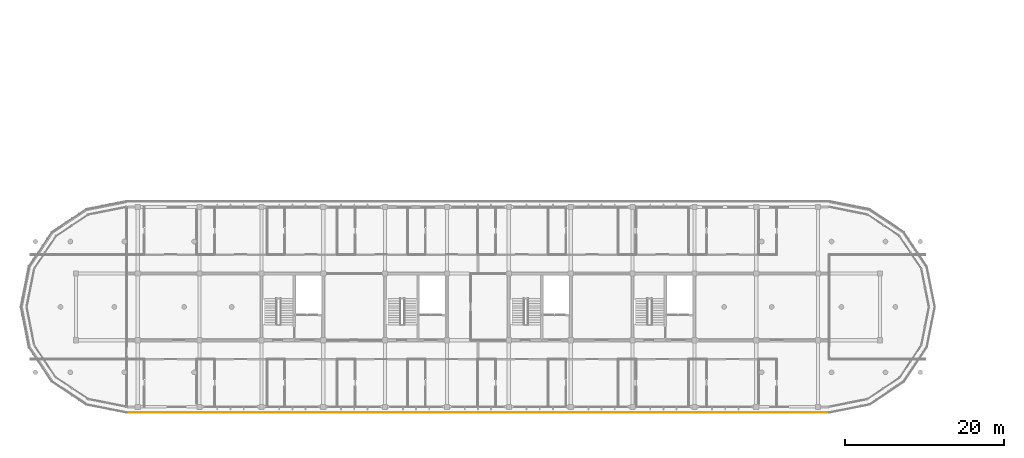
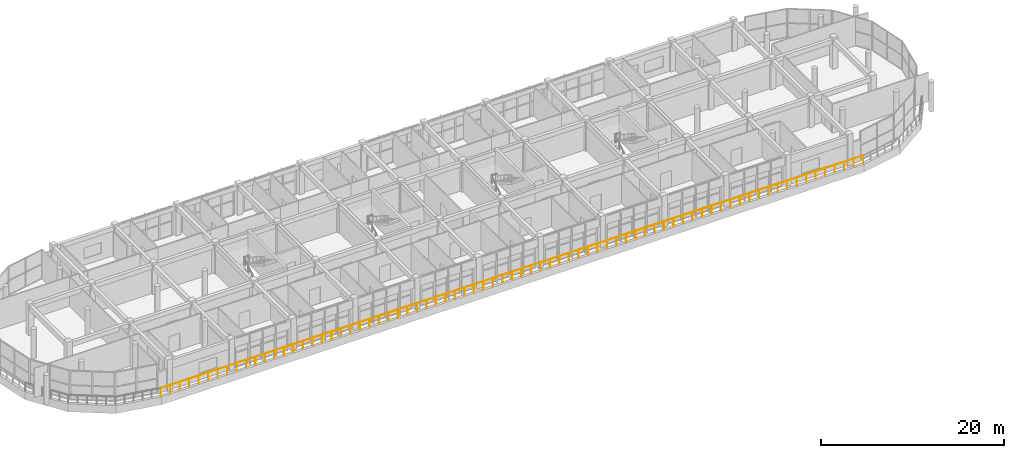
# One storey, part 54 of 57: 1 railing.
"""IFC4 building model written with IfcOpenShell, lengths in metres."""

from ifc_helpers import new_model, si_unit, direction, frame, origin, origin_2d, place, context, subcontext, project, spatial, circle, hollow_circle, extrude, material, material_profile, profile_set, type_object, element, save


model = new_model("IFC4")

# Units and contexts
model_context = context("Model", 3, precision=1e-05, world=origin(), true_north=direction((0.0, 1.0)))
body_context = subcontext(model_context, "Body", "Model", "MODEL_VIEW")
ifc_project = project(units=[si_unit("LENGTHUNIT", "METRE"), si_unit("AREAUNIT", "SQUARE_METRE"), si_unit("VOLUMEUNIT", "CUBIC_METRE"), si_unit("PLANEANGLEUNIT", "RADIAN"), si_unit("MASSUNIT", "GRAM", prefix="KILO")], contexts=[model_context])

# Site, building, storey
site_placement = place(None, origin())
site = spatial("IfcSite", under=ifc_project, at=site_placement, CompositionType="ELEMENT")
building_placement = place(site_placement, origin())
building = spatial("IfcBuilding", under=site, at=building_placement, Name="Zizhar Promenade General Hospital", CompositionType="ELEMENT")
storey_placement = place(building_placement, frame((0.0, 0.0, 22.199951171875)))
storey = spatial("IfcBuildingStorey", under=building, at=storey_placement, Name="L05", CompositionType="ELEMENT", Elevation=22.199951171875)

# Railing
ifc_material = material(Name="Anodised aluminium 6063-T6", Category="aluminium")
ifc_material_profile = material_profile(ifc_material, hollow_circle(Radius=0.06982421875, WallThickness=0.00634765625, at=origin_2d()))
ifc_profile_set = profile_set([ifc_material_profile], Name="Anodised aluminium 6063-T6")
railing_type = type_object("IfcRailingType", Name="RL-GUARD-TERR-1100", PredefinedType="GUARDRAIL", material=ifc_profile_set)
railing_placement = place(storey_placement, frame((29.800048828125, -0.719970703125, 0.0)))
element("IfcRailing", 1, at=railing_placement, inside=storey, type_object=railing_type, Name="Perimeter Safety Guardrail L05-18", PredefinedType="GUARDRAIL", context=body_context, shape_type="SweptSolid", body=[
    extrude(circle(Radius=0.02392578125, at=origin_2d()), frame((0.0, 0.0, 1.09619140625), z_axis=(1.0, 0.0, 0.0), x_axis=(0.0, 1.0, 0.0)), (0.0, 0.0, 1.0), 88.599853515625),
    extrude(circle(Radius=0.02099609375, at=origin_2d()), origin(), (0.0, 0.0, 1.0), 1.072021484375),
    extrude(circle(Radius=0.02099609375, at=origin_2d()), frame((1.197265625, 0.0, 0.0)), (0.0, 0.0, 1.0), 1.072021484375),
    extrude(circle(Radius=0.02099609375, at=origin_2d()), frame((2.39453125, 0.0, 0.0)), (0.0, 0.0, 1.0), 1.072021484375),
    extrude(circle(Radius=0.02099609375, at=origin_2d()), frame((3.591796875, 0.0, 0.0)), (0.0, 0.0, 1.0), 1.072021484375),
    extrude(circle(Radius=0.02099609375, at=origin_2d()), frame((4.7890625, 0.0, 0.0)), (0.0, 0.0, 1.0), 1.072021484375),
    extrude(circle(Radius=0.02099609375, at=origin_2d()), frame((5.986572265625, 0.0, 0.0)), (0.0, 0.0, 1.0), 1.072021484375),
    extrude(circle(Radius=0.02099609375, at=origin_2d()), frame((7.183837890625, 0.0, 0.0)), (0.0, 0.0, 1.0), 1.072021484375),
    extrude(circle(Radius=0.02099609375, at=origin_2d()), frame((8.381103515625, 0.0, 0.0)), (0.0, 0.0, 1.0), 1.072021484375),
    extrude(circle(Radius=0.02099609375, at=origin_2d()), frame((9.578369140625, 0.0, 0.0)), (0.0, 0.0, 1.0), 1.072021484375),
    extrude(circle(Radius=0.02099609375, at=origin_2d()), frame((10.775634765625, 0.0, 0.0)), (0.0, 0.0, 1.0), 1.072021484375),
    extrude(circle(Radius=0.02099609375, at=origin_2d()), frame((11.972900390625, 0.0, 0.0)), (0.0, 0.0, 1.0), 1.072021484375),
    extrude(circle(Radius=0.02099609375, at=origin_2d()), frame((13.170166015625, 0.0, 0.0)), (0.0, 0.0, 1.0), 1.072021484375),
    extrude(circle(Radius=0.02099609375, at=origin_2d()), frame((14.367431640625, 0.0, 0.0)), (0.0, 0.0, 1.0), 1.072021484375),
    extrude(circle(Radius=0.02099609375, at=origin_2d()), frame((15.56494140625, 0.0, 0.0)), (0.0, 0.0, 1.0), 1.072021484375),
    extrude(circle(Radius=0.02099609375, at=origin_2d()), frame((16.76220703125, 0.0, 0.0)), (0.0, 0.0, 1.0), 1.072021484375),
    extrude(circle(Radius=0.02099609375, at=origin_2d()), frame((17.95947265625, 0.0, 0.0)), (0.0, 0.0, 1.0), 1.072021484375),
    extrude(circle(Radius=0.02099609375, at=origin_2d()), frame((19.15673828125, 0.0, 0.0)), (0.0, 0.0, 1.0), 1.072021484375),
    extrude(circle(Radius=0.02099609375, at=origin_2d()), frame((20.35400390625, 0.0, 0.0)), (0.0, 0.0, 1.0), 1.072021484375),
    extrude(circle(Radius=0.02099609375, at=origin_2d()), frame((21.55126953125, 0.0, 0.0)), (0.0, 0.0, 1.0), 1.072021484375),
    extrude(circle(Radius=0.02099609375, at=origin_2d()), frame((22.74853515625, 0.0, 0.0)), (0.0, 0.0, 1.0), 1.072021484375),
    extrude(circle(Radius=0.02099609375, at=origin_2d()), frame((23.94580078125, 0.0, 0.0)), (0.0, 0.0, 1.0), 1.072021484375),
    extrude(circle(Radius=0.02099609375, at=origin_2d()), frame((25.143310546875, 0.0, 0.0)), (0.0, 0.0, 1.0), 1.072021484375),
    extrude(circle(Radius=0.02099609375, at=origin_2d()), frame((26.340576171875, 0.0, 0.0)), (0.0, 0.0, 1.0), 1.072021484375),
    extrude(circle(Radius=0.02099609375, at=origin_2d()), frame((27.537841796875, 0.0, 0.0)), (0.0, 0.0, 1.0), 1.072021484375),
    extrude(circle(Radius=0.02099609375, at=origin_2d()), frame((28.735107421875, 0.0, 0.0)), (0.0, 0.0, 1.0), 1.072021484375),
    extrude(circle(Radius=0.02099609375, at=origin_2d()), frame((29.932373046875, 0.0, 0.0)), (0.0, 0.0, 1.0), 1.072021484375),
    extrude(circle(Radius=0.02099609375, at=origin_2d()), frame((31.129638671875, 0.0, 0.0)), (0.0, 0.0, 1.0), 1.072021484375),
    extrude(circle(Radius=0.02099609375, at=origin_2d()), frame((32.326904296875, 0.0, 0.0)), (0.0, 0.0, 1.0), 1.072021484375),
    extrude(circle(Radius=0.02099609375, at=origin_2d()), frame((33.524169921875, 0.0, 0.0)), (0.0, 0.0, 1.0), 1.072021484375),
    extrude(circle(Radius=0.02099609375, at=origin_2d()), frame((34.7216796875, 0.0, 0.0)), (0.0, 0.0, 1.0), 1.072021484375),
    extrude(circle(Radius=0.02099609375, at=origin_2d()), frame((35.9189453125, 0.0, 0.0)), (0.0, 0.0, 1.0), 1.072021484375),
    extrude(circle(Radius=0.02099609375, at=origin_2d()), frame((37.1162109375, 0.0, 0.0)), (0.0, 0.0, 1.0), 1.072021484375),
    extrude(circle(Radius=0.02099609375, at=origin_2d()), frame((38.3134765625, 0.0, 0.0)), (0.0, 0.0, 1.0), 1.072021484375),
    extrude(circle(Radius=0.02099609375, at=origin_2d()), frame((39.5107421875, 0.0, 0.0)), (0.0, 0.0, 1.0), 1.072021484375),
    extrude(circle(Radius=0.02099609375, at=origin_2d()), frame((40.7080078125, 0.0, 0.0)), (0.0, 0.0, 1.0), 1.072021484375),
    extrude(circle(Radius=0.02099609375, at=origin_2d()), frame((41.9052734375, 0.0, 0.0)), (0.0, 0.0, 1.0), 1.072021484375),
    extrude(circle(Radius=0.02099609375, at=origin_2d()), frame((43.1025390625, 0.0, 0.0)), (0.0, 0.0, 1.0), 1.072021484375),
    extrude(circle(Radius=0.02099609375, at=origin_2d()), frame((44.2998046875, 0.0, 0.0)), (0.0, 0.0, 1.0), 1.072021484375),
    extrude(circle(Radius=0.02099609375, at=origin_2d()), frame((45.497314453125, 0.0, 0.0)), (0.0, 0.0, 1.0), 1.072021484375),
    extrude(circle(Radius=0.02099609375, at=origin_2d()), frame((46.694580078125, 0.0, 0.0)), (0.0, 0.0, 1.0), 1.072021484375),
    extrude(circle(Radius=0.02099609375, at=origin_2d()), frame((47.891845703125, 0.0, 0.0)), (0.0, 0.0, 1.0), 1.072021484375),
    extrude(circle(Radius=0.02099609375, at=origin_2d()), frame((49.089111328125, 0.0, 0.0)), (0.0, 0.0, 1.0), 1.072021484375),
    extrude(circle(Radius=0.02099609375, at=origin_2d()), frame((50.286376953125, 0.0, 0.0)), (0.0, 0.0, 1.0), 1.072021484375),
    extrude(circle(Radius=0.02099609375, at=origin_2d()), frame((51.483642578125, 0.0, 0.0)), (0.0, 0.0, 1.0), 1.072021484375),
    extrude(circle(Radius=0.02099609375, at=origin_2d()), frame((52.680908203125, 0.0, 0.0)), (0.0, 0.0, 1.0), 1.072021484375),
    extrude(circle(Radius=0.02099609375, at=origin_2d()), frame((53.878173828125, 0.0, 0.0)), (0.0, 0.0, 1.0), 1.072021484375),
    extrude(circle(Radius=0.02099609375, at=origin_2d()), frame((55.07568359375, 0.0, 0.0)), (0.0, 0.0, 1.0), 1.072021484375),
    extrude(circle(Radius=0.02099609375, at=origin_2d()), frame((56.27294921875, 0.0, 0.0)), (0.0, 0.0, 1.0), 1.072021484375),
    extrude(circle(Radius=0.02099609375, at=origin_2d()), frame((57.47021484375, 0.0, 0.0)), (0.0, 0.0, 1.0), 1.072021484375),
    extrude(circle(Radius=0.02099609375, at=origin_2d()), frame((58.66748046875, 0.0, 0.0)), (0.0, 0.0, 1.0), 1.072021484375),
    extrude(circle(Radius=0.02099609375, at=origin_2d()), frame((59.86474609375, 0.0, 0.0)), (0.0, 0.0, 1.0), 1.072021484375),
    extrude(circle(Radius=0.02099609375, at=origin_2d()), frame((61.06201171875, 0.0, 0.0)), (0.0, 0.0, 1.0), 1.072021484375),
    extrude(circle(Radius=0.02099609375, at=origin_2d()), frame((62.25927734375, 0.0, 0.0)), (0.0, 0.0, 1.0), 1.072021484375),
    extrude(circle(Radius=0.02099609375, at=origin_2d()), frame((63.45654296875, 0.0, 0.0)), (0.0, 0.0, 1.0), 1.072021484375),
    extrude(circle(Radius=0.02099609375, at=origin_2d()), frame((64.654052734375, 0.0, 0.0)), (0.0, 0.0, 1.0), 1.072021484375),
    extrude(circle(Radius=0.02099609375, at=origin_2d()), frame((65.851318359375, 0.0, 0.0)), (0.0, 0.0, 1.0), 1.072021484375),
    extrude(circle(Radius=0.02099609375, at=origin_2d()), frame((67.048583984375, 0.0, 0.0)), (0.0, 0.0, 1.0), 1.072021484375),
    extrude(circle(Radius=0.02099609375, at=origin_2d()), frame((68.245849609375, 0.0, 0.0)), (0.0, 0.0, 1.0), 1.072021484375),
    extrude(circle(Radius=0.02099609375, at=origin_2d()), frame((69.443115234375, 0.0, 0.0)), (0.0, 0.0, 1.0), 1.072021484375),
    extrude(circle(Radius=0.02099609375, at=origin_2d()), frame((70.640380859375, 0.0, 0.0)), (0.0, 0.0, 1.0), 1.072021484375),
    extrude(circle(Radius=0.02099609375, at=origin_2d()), frame((71.837646484375, 0.0, 0.0)), (0.0, 0.0, 1.0), 1.072021484375),
    extrude(circle(Radius=0.02099609375, at=origin_2d()), frame((73.034912109375, 0.0, 0.0)), (0.0, 0.0, 1.0), 1.072021484375),
    extrude(circle(Radius=0.02099609375, at=origin_2d()), frame((74.232421875, 0.0, 0.0)), (0.0, 0.0, 1.0), 1.072021484375),
    extrude(circle(Radius=0.02099609375, at=origin_2d()), frame((75.4296875, 0.0, 0.0)), (0.0, 0.0, 1.0), 1.072021484375),
    extrude(circle(Radius=0.02099609375, at=origin_2d()), frame((76.626953125, 0.0, 0.0)), (0.0, 0.0, 1.0), 1.072021484375),
    extrude(circle(Radius=0.02099609375, at=origin_2d()), frame((77.82421875, 0.0, 0.0)), (0.0, 0.0, 1.0), 1.072021484375),
    extrude(circle(Radius=0.02099609375, at=origin_2d()), frame((79.021484375, 0.0, 0.0)), (0.0, 0.0, 1.0), 1.072021484375),
    extrude(circle(Radius=0.02099609375, at=origin_2d()), frame((80.21875, 0.0, 0.0)), (0.0, 0.0, 1.0), 1.072021484375),
    extrude(circle(Radius=0.02099609375, at=origin_2d()), frame((81.416015625, 0.0, 0.0)), (0.0, 0.0, 1.0), 1.072021484375),
    extrude(circle(Radius=0.02099609375, at=origin_2d()), frame((82.61328125, 0.0, 0.0)), (0.0, 0.0, 1.0), 1.072021484375),
    extrude(circle(Radius=0.02099609375, at=origin_2d()), frame((83.810791015625, 0.0, 0.0)), (0.0, 0.0, 1.0), 1.072021484375),
    extrude(circle(Radius=0.02099609375, at=origin_2d()), frame((85.008056640625, 0.0, 0.0)), (0.0, 0.0, 1.0), 1.072021484375),
    extrude(circle(Radius=0.02099609375, at=origin_2d()), frame((86.205322265625, 0.0, 0.0)), (0.0, 0.0, 1.0), 1.072021484375),
    extrude(circle(Radius=0.02099609375, at=origin_2d()), frame((87.402587890625, 0.0, 0.0)), (0.0, 0.0, 1.0), 1.072021484375),
    extrude(circle(Radius=0.02099609375, at=origin_2d()), frame((88.599853515625, 0.0, 0.0)), (0.0, 0.0, 1.0), 1.072021484375),
])

save(model, "model.ifc")
